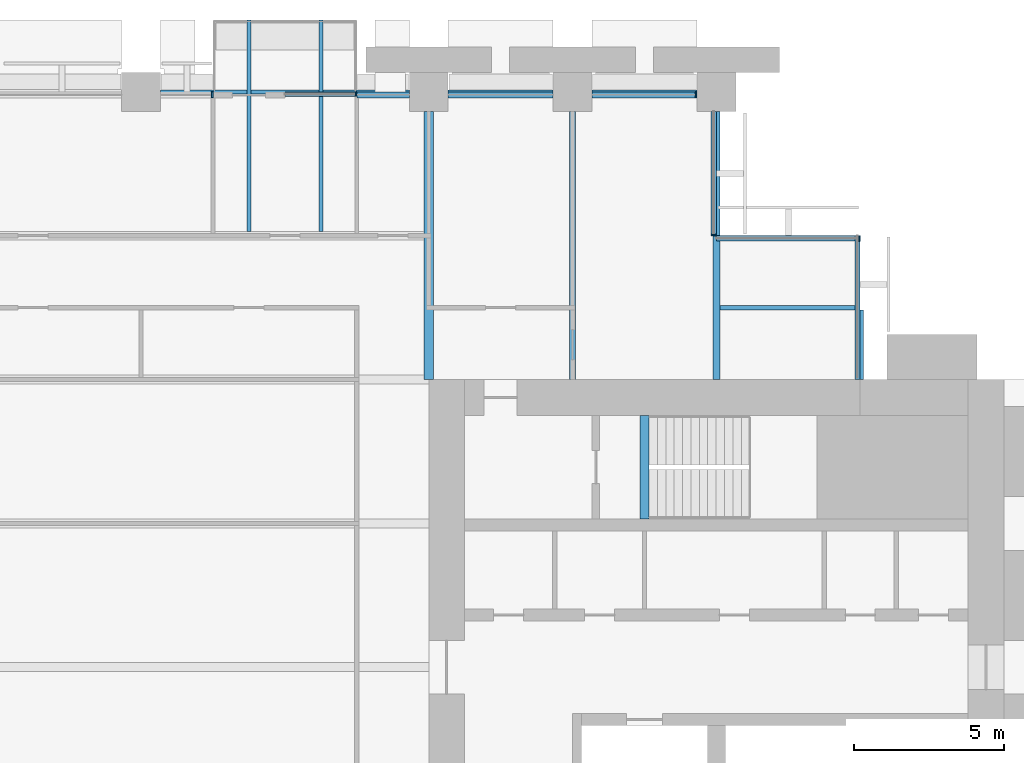
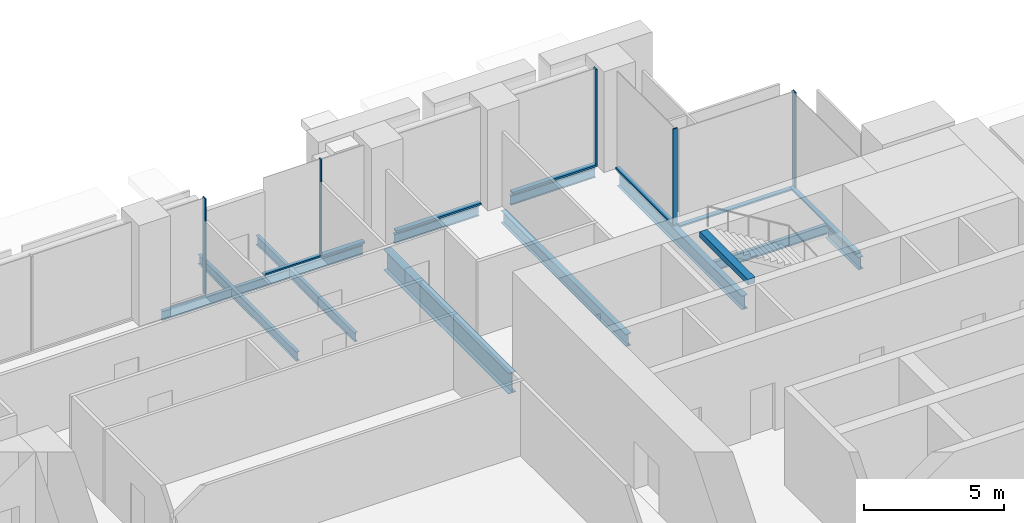
# One storey, part 7 of 15: 13 beams, 12 members, 6 elements without a shape of their own.
"""IFC4 building model written with IfcOpenShell, lengths in metres."""

from ifc_helpers import new_model, si_unit, direction, frame, origin, origin_2d, place, context, subcontext, project, spatial, rectangle, i_section, extrude, material, material_profile, profile_set, type_object, element, aggregate, save


model = new_model("IFC4")

# Units and contexts
model_context = context("Model", 3, precision=1e-05, world=origin(), true_north=direction((0.0, 1.0)))
body_context = subcontext(model_context, "Body", "Model", "MODEL_VIEW")
ifc_project = project(units=[si_unit("LENGTHUNIT", "METRE"), si_unit("AREAUNIT", "SQUARE_METRE"), si_unit("VOLUMEUNIT", "CUBIC_METRE"), si_unit("PLANEANGLEUNIT", "RADIAN"), si_unit("MASSUNIT", "GRAM", prefix="KILO")], contexts=[model_context])

# Site, building, storey
site_placement = place(None, origin())
site = spatial("IfcSite", under=ifc_project, at=site_placement, CompositionType="ELEMENT")
building_placement = place(site_placement, origin())
building = spatial("IfcBuilding", under=site, at=building_placement, Name="Baori Bourse Tower", CompositionType="ELEMENT")
storey_placement = place(building_placement, frame((0.0, 0.0, 34.60009765625)))
storey = spatial("IfcBuildingStorey", under=building, at=storey_placement, Name="L06", CompositionType="ELEMENT", Elevation=34.60009765625)

# Beams
ifc_material_1 = material(Name="Steel A992 Gr 50", Category="steel")
ifc_material_profile_1 = material_profile(ifc_material_1, i_section(OverallWidth=0.140380859375, OverallDepth=0.40380859375, WebThickness=0.007080078125, FlangeThickness=0.01123046875, at=origin_2d()), Name="W16x31")
ifc_profile_set_1 = profile_set([ifc_material_profile_1], Name="Steel A992 Gr 50")
beam_type_1 = type_object("IfcBeamType", Name="Balcony beam W16x31", PredefinedType="BEAM", material=ifc_profile_set_1)
for number, where, z_axis, x_axis, name in (
    (1, (32.39990234375, 50.39990234375, -0.362060546875), (0.0, -1.0, 0.0), (1.0, 0.0, 0.0), "Balcony beam L06"),
    (2, (34.800048828125, 50.39990234375, -0.362060546875), (0.0, -1.0, 0.0), (1.0, 0.0, 0.0), "Balcony beam L06"),
):
    element("IfcBeam", number, at=place(storey_placement, frame(where, z_axis=z_axis, x_axis=x_axis)), inside=storey, type_object=beam_type_1, Name=name, PredefinedType="BEAM", context=body_context, shape_type="SweptSolid", body=[
        extrude(i_section(OverallWidth=0.140380859375, OverallDepth=0.40380859375, WebThickness=0.007080078125, FlangeThickness=0.01123046875, at=origin_2d()), origin(), (0.0, 0.0, 1.0), 7.050048828125),
    ])

# Curtain wall, member
ifc_material_2 = material(Name="Pale anodised aluminium", Category="aluminium")
curtain_wall_type_1 = type_object("IfcCurtainWallType", Name="CW1 Curtain wall", PredefinedType="NOTDEFINED", material=ifc_material_2)
curtain_wall_1_placement = place(storey_placement, origin())
curtain_wall_1 = element("IfcCurtainWall", 3, at=curtain_wall_1_placement, inside=storey, type_object=curtain_wall_type_1, Name="Curtain wall CW1 L06 4", PredefinedType="NOTDEFINED")
ifc_material_3 = material(Name="Pale anodised aluminium", Category="aluminium")
ifc_material_profile_2 = material_profile(ifc_material_3, rectangle(XDim=0.199951171875, YDim=0.06005859375, at=origin_2d()), Name="Mullion 60x200")
ifc_profile_set_2 = profile_set([ifc_material_profile_2], Name="Pale anodised aluminium")
member_type_1 = type_object("IfcMemberType", Name="CW1 Curtain wall mullion", PredefinedType="MULLION", material=ifc_profile_set_2)
member_1_placement = place(storey_placement, frame((47.320068359375, 47.89990234375, 0.079833984375), z_axis=(0.0, 0.0, 1.0), x_axis=(0.0, -1.0, 0.0)))
member_1 = element("IfcMember", 4, at=member_1_placement, type_object=member_type_1, Name="Curtain wall CW1 mullion", PredefinedType="MULLION", context=body_context, shape_type="SweptSolid", body=[
    extrude(rectangle(XDim=0.199951171875, YDim=0.06005859375, at=origin_2d()), origin(), (0.0, 0.0, 1.0), 4.16015625),
])

curtain_wall_2_placement = place(storey_placement, origin())
curtain_wall_2 = element("IfcCurtainWall", 5, at=curtain_wall_2_placement, inside=storey, type_object=curtain_wall_type_1, Name="Curtain wall CW1 L06 6", PredefinedType="NOTDEFINED")
member_2_placement = place(storey_placement, frame((31.169921875, 47.89990234375, 0.079833984375), z_axis=(0.0, 0.0, 1.0), x_axis=(0.0, -1.0, 0.0)))
member_2 = element("IfcMember", 6, at=member_2_placement, type_object=member_type_1, Name="Curtain wall CW1 mullion", PredefinedType="MULLION", context=body_context, shape_type="SweptSolid", body=[
    extrude(rectangle(XDim=0.199951171875, YDim=0.06005859375, at=origin_2d()), origin(), (0.0, 0.0, 1.0), 4.16015625),
])
aggregate(curtain_wall_2, [member_2])

# Member
ifc_material_4 = material(Name="Pale anodised aluminium", Category="aluminium")
ifc_material_profile_3 = material_profile(ifc_material_4, rectangle(XDim=0.199951171875, YDim=0.080078125, at=origin_2d()), Name="Transom 80x200")
ifc_profile_set_3 = profile_set([ifc_material_profile_3], Name="Pale anodised aluminium")
member_type_2 = type_object("IfcMemberType", Name="CW1 Curtain wall transom", PredefinedType="USERDEFINED", material=ifc_profile_set_3)
member_3_placement = place(storey_placement, frame((47.35009765625, 47.89990234375, 0.039794921875), z_axis=(-1.0, 0.0, 0.0), x_axis=(0.0, -1.0, 0.0)))
member_3 = element("IfcMember", 7, at=member_3_placement, type_object=member_type_2, Name="Curtain wall CW1 sill rail", ObjectType="TRANSOM", PredefinedType="USERDEFINED", context=body_context, shape_type="SweptSolid", body=[
    extrude(rectangle(XDim=0.199951171875, YDim=0.080078125, at=origin_2d()), origin(), (0.0, 0.0, 1.0), 3.5),
])

member_4_placement = place(storey_placement, frame((42.550048828125, 47.89990234375, 0.039794921875), z_axis=(-1.0, 0.0, 0.0), x_axis=(0.0, -1.0, 0.0)))
member_4 = element("IfcMember", 8, at=member_4_placement, type_object=member_type_2, Name="Curtain wall CW1 sill rail", ObjectType="TRANSOM", PredefinedType="USERDEFINED", context=body_context, shape_type="SweptSolid", body=[
    extrude(rectangle(XDim=0.199951171875, YDim=0.080078125, at=origin_2d()), origin(), (0.0, 0.0, 1.0), 3.5),
])

member_5_placement = place(storey_placement, frame((37.75, 47.89990234375, 0.039794921875), z_axis=(-1.0, 0.0, 0.0), x_axis=(0.0, -1.0, 0.0)))
member_5 = element("IfcMember", 9, at=member_5_placement, type_object=member_type_2, Name="Curtain wall CW1 sill rail", ObjectType="TRANSOM", PredefinedType="USERDEFINED", context=body_context, shape_type="SweptSolid", body=[
    extrude(rectangle(XDim=0.199951171875, YDim=0.080078125, at=origin_2d()), origin(), (0.0, 0.0, 1.0), 1.75),
])

aggregate(curtain_wall_1, [member_3, member_1, member_4, member_5])

# Curtain wall, member
ifc_material_5 = material(Name="Pale anodised aluminium", Category="aluminium")
curtain_wall_type_2 = type_object("IfcCurtainWallType", Name="CW2 Curtain wall", PredefinedType="NOTDEFINED", material=ifc_material_5)
curtain_wall_3_placement = place(storey_placement, origin())
curtain_wall_3 = element("IfcCurtainWall", 10, at=curtain_wall_3_placement, inside=storey, type_object=curtain_wall_type_2, Name="Curtain wall CW2 L06 2", PredefinedType="NOTDEFINED")
ifc_material_6 = material(Name="Pale anodised aluminium", Category="aluminium")
ifc_material_profile_4 = material_profile(ifc_material_6, rectangle(XDim=0.179931640625, YDim=0.054931640625, at=origin_2d()), Name="Mullion 55x180")
ifc_profile_set_4 = profile_set([ifc_material_profile_4], Name="Pale anodised aluminium")
member_type_3 = type_object("IfcMemberType", Name="CW2 Curtain wall mullion", PredefinedType="MULLION", material=ifc_profile_set_4)
member_6_placement = place(storey_placement, frame((52.7724609375, 43.110107421875, 0.06982421875), z_axis=(0.0, 0.0, 1.0), x_axis=(0.0, -1.0, 0.0)))
member_6 = element("IfcMember", 11, at=member_6_placement, type_object=member_type_3, Name="Curtain wall CW2 mullion", PredefinedType="MULLION", context=body_context, shape_type="SweptSolid", body=[
    extrude(rectangle(XDim=0.179931640625, YDim=0.054931640625, at=origin_2d()), origin(), (0.0, 0.0, 1.0), 4.170166015625),
])

curtain_wall_4_placement = place(storey_placement, origin())
curtain_wall_4 = element("IfcCurtainWall", 12, at=curtain_wall_4_placement, inside=storey, type_object=curtain_wall_type_2, Name="Curtain wall CW2 L06 3", PredefinedType="NOTDEFINED")
member_7_placement = place(storey_placement, frame((47.909912109375, 43.2275390625, 0.06982421875), z_axis=(0.0, 0.0, 1.0), x_axis=(-1.0, 0.0, 0.0)))
member_7 = element("IfcMember", 13, at=member_7_placement, type_object=member_type_3, Name="Curtain wall CW2 mullion", PredefinedType="MULLION", context=body_context, shape_type="SweptSolid", body=[
    extrude(rectangle(XDim=0.179931640625, YDim=0.054931640625, at=origin_2d()), origin(), (0.0, 0.0, 1.0), 4.170166015625),
])

curtain_wall_5_placement = place(storey_placement, origin())
curtain_wall_5 = element("IfcCurtainWall", 14, at=curtain_wall_5_placement, inside=storey, type_object=curtain_wall_type_2, Name="Curtain wall CW2 L06 1", PredefinedType="NOTDEFINED")
ifc_material_7 = material(Name="Pale anodised aluminium", Category="aluminium")
ifc_material_profile_5 = material_profile(ifc_material_7, rectangle(XDim=0.179931640625, YDim=0.070068359375, at=origin_2d()), Name="Transom 70x180")
ifc_profile_set_5 = profile_set([ifc_material_profile_5], Name="Pale anodised aluminium")
member_type_4 = type_object("IfcMemberType", Name="CW2 Curtain wall transom", PredefinedType="USERDEFINED", material=ifc_profile_set_5)
member_8_placement = place(storey_placement, frame((52.7099609375, 38.39990234375, 0.034912109375), z_axis=(0.0, 1.0, 0.0), x_axis=(-1.0, 0.0, 0.0)))
member_8 = element("IfcMember", 15, at=member_8_placement, type_object=member_type_4, Name="Curtain wall CW2 sill rail", ObjectType="TRANSOM", PredefinedType="USERDEFINED", context=body_context, shape_type="SweptSolid", body=[
    extrude(rectangle(XDim=0.179931640625, YDim=0.070068359375, at=origin_2d()), origin(), (0.0, 0.0, 1.0), 4.800048828125),
])
aggregate(curtain_wall_5, [member_8])

# Member
member_9_placement = place(storey_placement, frame((52.800048828125, 43.110107421875, 0.034912109375), z_axis=(-1.0, 0.0, 0.0), x_axis=(0.0, -1.0, 0.0)))
member_9 = element("IfcMember", 16, at=member_9_placement, type_object=member_type_4, Name="Curtain wall CW2 sill rail", ObjectType="TRANSOM", PredefinedType="USERDEFINED", context=body_context, shape_type="SweptSolid", body=[
    extrude(rectangle(XDim=0.179931640625, YDim=0.070068359375, at=origin_2d()), origin(), (0.0, 0.0, 1.0), 4.800048828125),
])

aggregate(curtain_wall_3, [member_9, member_6])

member_10_placement = place(storey_placement, frame((47.909912109375, 43.199951171875, 0.034912109375), z_axis=(0.0, 1.0, 0.0), x_axis=(-1.0, 0.0, 0.0)))
member_10 = element("IfcMember", 17, at=member_10_placement, type_object=member_type_4, Name="Curtain wall CW2 sill rail", ObjectType="TRANSOM", PredefinedType="USERDEFINED", context=body_context, shape_type="SweptSolid", body=[
    extrude(rectangle(XDim=0.179931640625, YDim=0.070068359375, at=origin_2d()), origin(), (0.0, 0.0, 1.0), 4.150146484375),
])

aggregate(curtain_wall_4, [member_10, member_7])

# Curtain wall, members
ifc_material_8 = material(Name="Pale anodised aluminium", Category="aluminium")
curtain_wall_type_3 = type_object("IfcCurtainWallType", Name="CW6 Curtain wall", PredefinedType="NOTDEFINED", material=ifc_material_8)
curtain_wall_6_placement = place(storey_placement, origin())
curtain_wall_6 = element("IfcCurtainWall", 18, at=curtain_wall_6_placement, inside=storey, type_object=curtain_wall_type_3, Name="Curtain wall CW6 L06 5", PredefinedType="NOTDEFINED")
ifc_material_9 = material(Name="Pale anodised aluminium", Category="aluminium")
ifc_material_profile_6 = material_profile(ifc_material_9, rectangle(XDim=0.14990234375, YDim=0.050048828125, at=origin_2d()), Name="Mullion 50x150")
ifc_profile_set_6 = profile_set([ifc_material_profile_6], Name="Pale anodised aluminium")
member_type_5 = type_object("IfcMemberType", Name="CW6 Curtain wall mullion", PredefinedType="MULLION", material=ifc_profile_set_6)
member_11_placement = place(storey_placement, frame((35.97509765625, 47.925048828125, 0.06494140625), z_axis=(0.0, 0.0, 1.0), x_axis=(0.0, -1.0, 0.0)))
member_11 = element("IfcMember", 19, at=member_11_placement, type_object=member_type_5, Name="Curtain wall CW6 mullion", PredefinedType="MULLION", context=body_context, shape_type="SweptSolid", body=[
    extrude(rectangle(XDim=0.14990234375, YDim=0.050048828125, at=origin_2d()), origin(), (0.0, 0.0, 1.0), 4.175048828125),
])
ifc_material_10 = material(Name="Pale anodised aluminium", Category="aluminium")
ifc_material_profile_7 = material_profile(ifc_material_10, rectangle(XDim=0.14990234375, YDim=0.06494140625, at=origin_2d()), Name="Transom 65x150")
ifc_profile_set_7 = profile_set([ifc_material_profile_7], Name="Pale anodised aluminium")
member_type_6 = type_object("IfcMemberType", Name="CW6 Curtain wall transom", PredefinedType="USERDEFINED", material=ifc_profile_set_7)
member_12_placement = place(storey_placement, frame((36.0, 47.925048828125, 0.032470703125), z_axis=(-1.0, 0.0, 0.0), x_axis=(0.0, -1.0, 0.0)))
member_12 = element("IfcMember", 20, at=member_12_placement, type_object=member_type_6, Name="Curtain wall CW6 sill rail", ObjectType="TRANSOM", PredefinedType="USERDEFINED", context=body_context, shape_type="SweptSolid", body=[
    extrude(rectangle(XDim=0.14990234375, YDim=0.06494140625, at=origin_2d()), origin(), (0.0, 0.0, 1.0), 2.39990234375),
])
aggregate(curtain_wall_6, [member_12, member_11])

# Beams
ifc_material_11 = material(Name="Steel A992 Gr 50", Category="steel")
ifc_material_profile_8 = material_profile(ifc_material_11, i_section(OverallWidth=0.21240234375, OverallDepth=0.54345703125, WebThickness=0.01318359375, FlangeThickness=0.021240234375, at=origin_2d()), Name="W21x83")
ifc_profile_set_8 = profile_set([ifc_material_profile_8], Name="Steel A992 Gr 50")
beam_type_2 = type_object("IfcBeamType", Name="Core bracket W21x83", PredefinedType="BEAM", material=ifc_profile_set_8)
beam_1_placement = place(storey_placement, frame((52.800048828125, 38.39990234375, -0.431884765625), z_axis=(0.0, 1.0, 0.0), x_axis=(-1.0, 0.0, 0.0)))
element("IfcBeam", 21, at=beam_1_placement, inside=storey, type_object=beam_type_2, Name="Core bracket L06", PredefinedType="BEAM", context=body_context, shape_type="SweptSolid", body=[
    extrude(i_section(OverallWidth=0.21240234375, OverallDepth=0.54345703125, WebThickness=0.01318359375, FlangeThickness=0.021240234375, at=origin_2d()), origin(), (0.0, 0.0, 1.0), 2.329833984375),
])
ifc_material_12 = material(Name="Steel A992 Gr 50", Category="steel")
ifc_material_profile_9 = material_profile(ifc_material_12, i_section(OverallWidth=0.140380859375, OverallDepth=0.40380859375, WebThickness=0.007080078125, FlangeThickness=0.01123046875, at=origin_2d()), Name="W16x31")
ifc_profile_set_9 = profile_set([ifc_material_profile_9], Name="Steel A992 Gr 50")
beam_type_3 = type_object("IfcBeamType", Name="Edge beam W16x31", PredefinedType="BEAM", material=ifc_profile_set_9)
beam_2_placement = place(storey_placement, frame((29.449951171875, 48.0, -0.362060546875), z_axis=(1.0, 0.0, 0.0), x_axis=(0.0, 1.0, 0.0)))
element("IfcBeam", 22, at=beam_2_placement, inside=storey, type_object=beam_type_3, Name="Edge beam L06", PredefinedType="BEAM", context=body_context, shape_type="SweptSolid", body=[
    extrude(i_section(OverallWidth=0.140380859375, OverallDepth=0.40380859375, WebThickness=0.007080078125, FlangeThickness=0.01123046875, at=origin_2d()), origin(), (0.0, 0.0, 1.0), 2.8798828125),
])
beam_3_placement = place(storey_placement, frame((32.47021484375, 48.0, -0.362060546875), z_axis=(1.0, 0.0, 0.0), x_axis=(0.0, 1.0, 0.0)))
element("IfcBeam", 23, at=beam_3_placement, inside=storey, type_object=beam_type_3, Name="Edge beam L06", PredefinedType="BEAM", context=body_context, shape_type="SweptSolid", body=[
    extrude(i_section(OverallWidth=0.140380859375, OverallDepth=0.40380859375, WebThickness=0.007080078125, FlangeThickness=0.01123046875, at=origin_2d()), origin(), (0.0, 0.0, 1.0), 2.259521484375),
])
beam_4_placement = place(storey_placement, frame((34.8701171875, 48.0, -0.362060546875), z_axis=(1.0, 0.0, 0.0), x_axis=(0.0, 1.0, 0.0)))
element("IfcBeam", 24, at=beam_4_placement, inside=storey, type_object=beam_type_3, Name="Edge beam L06", PredefinedType="BEAM", context=body_context, shape_type="SweptSolid", body=[
    extrude(i_section(OverallWidth=0.140380859375, OverallDepth=0.40380859375, WebThickness=0.007080078125, FlangeThickness=0.01123046875, at=origin_2d()), origin(), (0.0, 0.0, 1.0), 2.8798828125),
])
for number, where, z_axis, x_axis, name in (
    (25, (39.050048828125, 48.0, -0.362060546875), (1.0, 0.0, 0.0), (0.0, 1.0, 0.0), "Edge beam L06"),
    (26, (43.85009765625, 48.0, -0.362060546875), (1.0, 0.0, 0.0), (0.0, 1.0, 0.0), "Edge beam L06"),
):
    element("IfcBeam", number, at=place(storey_placement, frame(where, z_axis=z_axis, x_axis=x_axis)), inside=storey, type_object=beam_type_3, Name=name, PredefinedType="BEAM", context=body_context, shape_type="SweptSolid", body=[
        extrude(i_section(OverallWidth=0.140380859375, OverallDepth=0.40380859375, WebThickness=0.007080078125, FlangeThickness=0.01123046875, at=origin_2d()), origin(), (0.0, 0.0, 1.0), 3.5),
    ])
ifc_material_13 = material(Name="Steel A992 Gr 50", Category="steel")
ifc_material_profile_10 = material_profile(ifc_material_13, i_section(OverallWidth=0.209228515625, OverallDepth=0.533447265625, WebThickness=0.01025390625, FlangeThickness=0.015625, at=origin_2d()), Name="W21x62")
ifc_profile_set_10 = profile_set([ifc_material_profile_10], Name="Steel A992 Gr 50")
beam_type_4 = type_object("IfcBeamType", Name="Floor beam W21x62", PredefinedType="BEAM", material=ifc_profile_set_10)
beam_5_placement = place(storey_placement, frame((43.199951171875, 38.39990234375, -0.4267578125), z_axis=(0.0, 1.0, 0.0), x_axis=(-1.0, 0.0, 0.0)))
element("IfcBeam", 27, at=beam_5_placement, inside=storey, type_object=beam_type_4, Name="Floor beam L06", PredefinedType="BEAM", context=body_context, shape_type="SweptSolid", body=[
    extrude(i_section(OverallWidth=0.209228515625, OverallDepth=0.533447265625, WebThickness=0.01025390625, FlangeThickness=0.015625, at=origin_2d()), origin(), (0.0, 0.0, 1.0), 8.9501953125),
])
ifc_material_14 = material(Name="Steel A992 Gr 50", Category="steel")
ifc_material_profile_11 = material_profile(ifc_material_14, i_section(OverallWidth=0.227783203125, OverallDepth=0.60205078125, WebThickness=0.010498046875, FlangeThickness=0.014892578125, at=origin_2d()), Name="W24x68")
ifc_profile_set_11 = profile_set([ifc_material_profile_11], Name="Steel A992 Gr 50")
beam_type_5 = type_object("IfcBeamType", Name="Floor beam W24x68", PredefinedType="BEAM", material=ifc_profile_set_11)
beam_6_placement = place(storey_placement, frame((48.0, 38.39990234375, -0.461181640625), z_axis=(0.0, 1.0, 0.0), x_axis=(-1.0, 0.0, 0.0)))
element("IfcBeam", 28, at=beam_6_placement, inside=storey, type_object=beam_type_5, Name="Floor beam L06", PredefinedType="BEAM", context=body_context, shape_type="SweptSolid", body=[
    extrude(i_section(OverallWidth=0.227783203125, OverallDepth=0.60205078125, WebThickness=0.010498046875, FlangeThickness=0.014892578125, at=origin_2d()), origin(), (0.0, 0.0, 1.0), 8.9501953125),
])
ifc_material_15 = material(Name="Steel A992 Gr 50", Category="steel")
ifc_material_profile_12 = material_profile(ifc_material_15, i_section(OverallWidth=0.3046875, OverallDepth=0.904296875, WebThickness=0.01513671875, FlangeThickness=0.02001953125, at=origin_2d()), Name="W36x135")
ifc_profile_set_12 = profile_set([ifc_material_profile_12], Name="Steel A992 Gr 50")
beam_type_6 = type_object("IfcBeamType", Name="Girder W36x135", PredefinedType="BEAM", material=ifc_profile_set_12)
beam_7_placement = place(storey_placement, frame((38.39990234375, 38.39990234375, -0.6123046875), z_axis=(0.0, 1.0, 0.0), x_axis=(-1.0, 0.0, 0.0)))
element("IfcBeam", 29, at=beam_7_placement, inside=storey, type_object=beam_type_6, Name="Girder L06", PredefinedType="BEAM", context=body_context, shape_type="SweptSolid", body=[
    extrude(i_section(OverallWidth=0.3046875, OverallDepth=0.904296875, WebThickness=0.01513671875, FlangeThickness=0.02001953125, at=origin_2d()), origin(), (0.0, 0.0, 1.0), 8.9501953125),
])
ifc_material_16 = material(Name="Concrete f'c 50 MPa", Category="concrete")
ifc_material_profile_13 = material_profile(ifc_material_16, rectangle(XDim=0.300048828125, YDim=0.25, at=origin_2d()), Name="RC 300x250")
ifc_profile_set_13 = profile_set([ifc_material_profile_13], Name="Concrete f'c 50 MPa")
beam_type_7 = type_object("IfcBeamType", Name="Stair nib beam RC 300x250", PredefinedType="BEAM", material=ifc_profile_set_13)
beam_8_placement = place(storey_placement, frame((45.60009765625, 33.75, 4.114990234375), z_axis=(0.0, 1.0, 0.0), x_axis=(-1.0, 0.0, 0.0)))
element("IfcBeam", 30, at=beam_8_placement, inside=storey, type_object=beam_type_7, Name="Stair EB nib beam L07", PredefinedType="BEAM", context=body_context, shape_type="SweptSolid", body=[
    extrude(rectangle(XDim=0.300048828125, YDim=0.25, at=origin_2d()), origin(), (0.0, 0.0, 1.0), 3.449951171875),
])
ifc_material_17 = material(Name="Steel A992 Gr 50", Category="steel")
ifc_material_profile_14 = material_profile(ifc_material_17, i_section(OverallWidth=0.140380859375, OverallDepth=0.40380859375, WebThickness=0.007080078125, FlangeThickness=0.01123046875, at=origin_2d()), Name="W16x31")
ifc_profile_set_14 = profile_set([ifc_material_profile_14], Name="Steel A992 Gr 50")
beam_type_8 = type_object("IfcBeamType", Name="Trimmer beam W16x31", PredefinedType="BEAM", material=ifc_profile_set_14)
beam_9_placement = place(storey_placement, frame((48.114013671875, 40.800048828125, -0.362060546875), z_axis=(1.0, 0.0, 0.0), x_axis=(0.0, 1.0, 0.0)))
element("IfcBeam", 31, at=beam_9_placement, inside=storey, type_object=beam_type_8, Name="Trimmer beam L06", PredefinedType="BEAM", context=body_context, shape_type="SweptSolid", body=[
    extrude(i_section(OverallWidth=0.140380859375, OverallDepth=0.40380859375, WebThickness=0.007080078125, FlangeThickness=0.01123046875, at=origin_2d()), origin(), (0.0, 0.0, 1.0), 4.68603515625),
])

save(model, "model.ifc")
